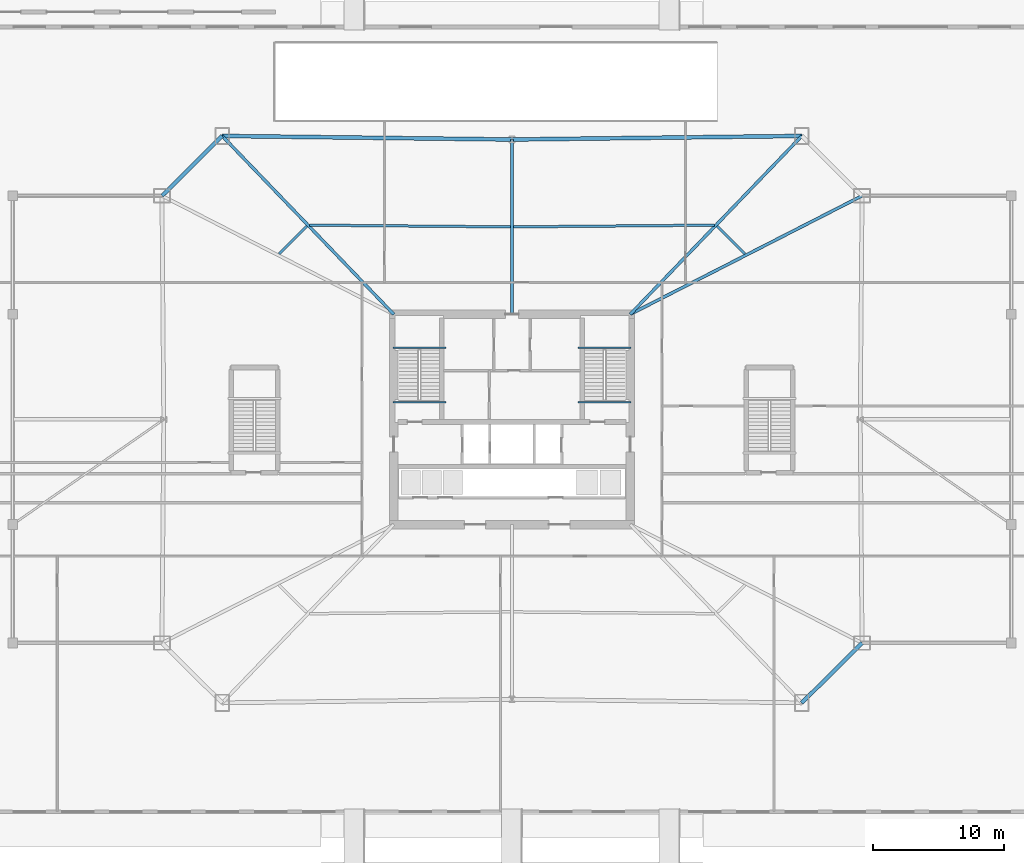
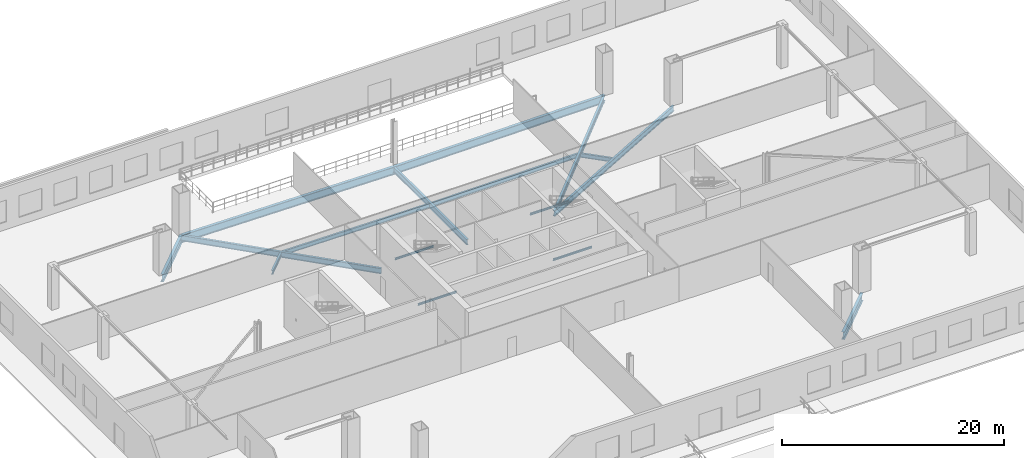
# One storey, part 5 of 23: 16 beams.
"""IFC4 building model written with IfcOpenShell, lengths in metres."""

from ifc_helpers import new_model, si_unit, direction, frame, origin, origin_2d, place, context, subcontext, project, spatial, i_section, extrude, material, material_profile, profile_set, type_object, element, save


model = new_model("IFC4")

# Units and contexts
model_context = context("Model", 3, precision=1e-05, world=origin(), true_north=direction((0.0, 1.0)))
body_context = subcontext(model_context, "Body", "Model", "MODEL_VIEW")
ifc_project = project(units=[si_unit("LENGTHUNIT", "METRE"), si_unit("AREAUNIT", "SQUARE_METRE"), si_unit("VOLUMEUNIT", "CUBIC_METRE"), si_unit("PLANEANGLEUNIT", "RADIAN"), si_unit("MASSUNIT", "GRAM", prefix="KILO")], contexts=[model_context])

# Site, building, storey
site_placement = place(None, origin())
site = spatial("IfcSite", under=ifc_project, at=site_placement, CompositionType="ELEMENT")
building_placement = place(site_placement, origin())
building = spatial("IfcBuilding", under=site, at=building_placement, Name="Caelvoria Tower", CompositionType="ELEMENT")
storey_placement = place(building_placement, origin())
storey = spatial("IfcBuildingStorey", under=building, at=storey_placement, Name="L00", CompositionType="ELEMENT", Elevation=0.0)

# Beams
ifc_material = material(Name="Structural Steel ASTM A992 Gr.50", Category="steel")
ifc_material_profile_1 = material_profile(ifc_material, i_section(OverallWidth=0.134033203125, OverallDepth=0.2099609375, WebThickness=0.00634765625, FlangeThickness=0.01025390625, FilletRadius=0.010009765625, at=origin_2d()), Name="Structural Steel ASTM A992 Gr.50")
ifc_profile_set_1 = profile_set([ifc_material_profile_1], Name="W200X31.3 - Structural Steel ASTM A992 Gr.50")
beam_type_1 = type_object("IfcBeamType", Name="Canopy Edge Trim Beam W200X31.3", PredefinedType="BEAM", material=ifc_profile_set_1)
for number, where, z_axis, x_axis, name in (
    (1, (36.929931640625, 37.449951171875, 2.195068359375), (1.0, 0.0, 0.0), (0.0, 1.0, 0.0), "ST-01 Half-Landing Support Beam L00"),
    (2, (36.929931640625, 33.300048828125, -0.304931640625), (1.0, 0.0, 0.0), (0.0, 1.0, 0.0), "ST-01 Floor-Landing Support Beam L00"),
    (3, (51.030029296875, 37.449951171875, 2.195068359375), (1.0, 0.0, 0.0), (0.0, 1.0, 0.0), "ST-02 Half-Landing Support Beam L00"),
    (4, (51.030029296875, 33.300048828125, -0.304931640625), (1.0, 0.0, 0.0), (0.0, 1.0, 0.0), "ST-02 Floor-Landing Support Beam L00"),
):
    element("IfcBeam", number, at=place(storey_placement, frame(where, z_axis=z_axis, x_axis=x_axis)), inside=storey, type_object=beam_type_1, Name=name, PredefinedType="BEAM", context=body_context, shape_type="SweptSolid", body=[
        extrude(i_section(OverallWidth=0.134033203125, OverallDepth=0.2099609375, WebThickness=0.00634765625, FlangeThickness=0.01025390625, FilletRadius=0.010009765625, at=origin_2d()), origin(), (0.0, 0.0, 1.0), 4.0400390625),
    ])
ifc_material_profile_2 = material_profile(ifc_material, i_section(OverallWidth=0.2939453125, OverallDepth=0.85107421875, WebThickness=0.01611328125, FlangeThickness=0.02685546875, FilletRadius=0.02197265625, at=origin_2d()), Name="Structural Steel ASTM A992 Gr.50")
ifc_profile_set_2 = profile_set([ifc_material_profile_2], Name="W840X226 - Structural Steel ASTM A992 Gr.50")
beam_type_2 = type_object("IfcBeamType", Name="Podium Long-Span Girder W840X226", PredefinedType="BEAM", material=ifc_profile_set_2)
beam_1_placement = place(storey_placement, frame((68.056640625, 10.42919921875, -0.775390625), z_axis=(0.709407278283, 0.704798775197, 0.0), x_axis=(-0.704798775197, 0.709407278283, 0.0)))
element("IfcBeam", 5, at=beam_1_placement, inside=storey, type_object=beam_type_2, Name="Perimeter Spandrel Girder L00-02", PredefinedType="BEAM", context=body_context, shape_type="SweptSolid", body=[
    extrude(i_section(OverallWidth=0.2939453125, OverallDepth=0.85107421875, WebThickness=0.01611328125, FlangeThickness=0.02685546875, FilletRadius=0.02197265625, at=origin_2d()), origin(), (0.0, 0.0, 1.0), 6.463134765625),
])
for number, where, z_axis, x_axis, name in (
    (6, (68.056640625, 53.57080078125, -0.775390625), (-0.999924666978, -0.01227437855, 0.0), (0.01227437855, -0.999924666978, 0.0), "Perimeter Spandrel Girder L00-06"),
    (7, (46.0, 53.300048828125, -0.775390625), (-0.999924666978, 0.01227437855, 0.0), (-0.01227437855, -0.999924666978, 0.0), "Perimeter Spandrel Girder L00-07"),
):
    element("IfcBeam", number, at=place(storey_placement, frame(where, z_axis=z_axis, x_axis=x_axis)), inside=storey, type_object=beam_type_2, Name=name, PredefinedType="BEAM", context=body_context, shape_type="SweptSolid", body=[
        extrude(i_section(OverallWidth=0.2939453125, OverallDepth=0.85107421875, WebThickness=0.01611328125, FlangeThickness=0.02685546875, FilletRadius=0.02197265625, at=origin_2d()), origin(), (0.0, 0.0, 1.0), 22.058349609375),
    ])
beam_2_placement = place(storey_placement, frame((23.943359375, 53.57080078125, -0.775390625), z_axis=(-0.709407278283, -0.704798775197, 0.0), x_axis=(0.704798775197, -0.709407278283, 0.0)))
element("IfcBeam", 8, at=beam_2_placement, inside=storey, type_object=beam_type_2, Name="Perimeter Spandrel Girder L00-08", PredefinedType="BEAM", context=body_context, shape_type="SweptSolid", body=[
    extrude(i_section(OverallWidth=0.2939453125, OverallDepth=0.85107421875, WebThickness=0.01611328125, FlangeThickness=0.02685546875, FilletRadius=0.02197265625, at=origin_2d()), origin(), (0.0, 0.0, 1.0), 6.463134765625),
])
ifc_material_profile_3 = material_profile(ifc_material, i_section(OverallWidth=0.22900390625, OverallDepth=0.612060546875, WebThickness=0.011962890625, FlangeThickness=0.01953125, FilletRadius=0.01806640625, at=origin_2d()), Name="Structural Steel ASTM A992 Gr.50")
ifc_profile_set_3 = profile_set([ifc_material_profile_3], Name="W610X125 - Structural Steel ASTM A992 Gr.50")
beam_type_3 = type_object("IfcBeamType", Name="Primary Radial Floor Girder W610X125", PredefinedType="BEAM", material=ifc_profile_set_3)
beam_3_placement = place(storey_placement, frame((55.0, 40.0, -0.656005859375), z_axis=(0.890459095292, 0.455063291876, 0.0), x_axis=(-0.455063291876, 0.890459095292, 0.0)))
element("IfcBeam", 9, at=beam_3_placement, inside=storey, type_object=beam_type_3, Name="Primary Floor Girder L00-05", PredefinedType="BEAM", context=body_context, shape_type="SweptSolid", body=[
    extrude(i_section(OverallWidth=0.22900390625, OverallDepth=0.612060546875, WebThickness=0.011962890625, FlangeThickness=0.01953125, FilletRadius=0.01806640625, at=origin_2d()), origin(), (0.0, 0.0, 1.0), 19.811767578125),
])
beam_4_placement = place(storey_placement, frame((55.0, 40.0, -0.656005859375), z_axis=(0.69332372519, 0.720626263807, 0.0), x_axis=(-0.720626263807, 0.69332372519, 0.0)))
element("IfcBeam", 10, at=beam_4_placement, inside=storey, type_object=beam_type_3, Name="Primary Floor Girder L00-06", PredefinedType="BEAM", context=body_context, shape_type="SweptSolid", body=[
    extrude(i_section(OverallWidth=0.22900390625, OverallDepth=0.612060546875, WebThickness=0.011962890625, FlangeThickness=0.01953125, FilletRadius=0.01806640625, at=origin_2d()), origin(), (0.0, 0.0, 1.0), 18.83203125),
])
beam_5_placement = place(storey_placement, frame((46.0, 40.0, -0.656005859375), z_axis=(0.0, 1.0, 0.0), x_axis=(-1.0, 0.0, 0.0)))
element("IfcBeam", 11, at=beam_5_placement, inside=storey, type_object=beam_type_3, Name="Primary Floor Girder L00-07", PredefinedType="BEAM", context=body_context, shape_type="SweptSolid", body=[
    extrude(i_section(OverallWidth=0.22900390625, OverallDepth=0.612060546875, WebThickness=0.011962890625, FlangeThickness=0.01953125, FilletRadius=0.01806640625, at=origin_2d()), origin(), (0.0, 0.0, 1.0), 13.300048828125),
])
beam_6_placement = place(storey_placement, frame((37.0, 40.0, -0.656005859375), z_axis=(-0.69332372519, 0.720626263807, 0.0), x_axis=(-0.720626263807, -0.69332372519, 0.0)))
element("IfcBeam", 12, at=beam_6_placement, inside=storey, type_object=beam_type_3, Name="Primary Floor Girder L00-08", PredefinedType="BEAM", context=body_context, shape_type="SweptSolid", body=[
    extrude(i_section(OverallWidth=0.22900390625, OverallDepth=0.612060546875, WebThickness=0.011962890625, FlangeThickness=0.01953125, FilletRadius=0.01806640625, at=origin_2d()), origin(), (0.0, 0.0, 1.0), 18.83203125),
])
ifc_material_profile_4 = material_profile(ifc_material, i_section(OverallWidth=0.18994140625, OverallDepth=0.45703125, WebThickness=0.009033203125, FlangeThickness=0.014404296875, FilletRadius=0.014892578125, at=origin_2d()), Name="Structural Steel ASTM A992 Gr.50")
ifc_profile_set_4 = profile_set([ifc_material_profile_4], Name="W460X74 - Structural Steel ASTM A992 Gr.50")
beam_type_4 = type_object("IfcBeamType", Name="Secondary Floor Beam W460X74", PredefinedType="BEAM", material=ifc_profile_set_4)
beam_7_placement = place(storey_placement, frame((63.73193359375, 44.595947265625, -0.57861328125), z_axis=(-0.709395928351, 0.704810199159, 0.0), x_axis=(-0.704810199159, -0.709395928351, 0.0)))
element("IfcBeam", 13, at=beam_7_placement, inside=storey, type_object=beam_type_4, Name="Secondary Floor Beam L00-05", PredefinedType="BEAM", context=body_context, shape_type="SweptSolid", body=[
    extrude(i_section(OverallWidth=0.18994140625, OverallDepth=0.45703125, WebThickness=0.009033203125, FlangeThickness=0.014404296875, FilletRadius=0.014892578125, at=origin_2d()), origin(), (0.0, 0.0, 1.0), 2.9814453125),
])
for number, where, z_axis, x_axis, name in (
    (14, (61.4033203125, 46.7841796875, -0.57861328125), (-0.9999620801, -0.00870852243, 0.0), (0.00870852243, -0.9999620801, 0.0), "Secondary Floor Beam L00-06"),
    (15, (45.875, 46.651123046875, -0.57861328125), (-0.9999620801, 0.00870852243, 0.0), (-0.00870852243, -0.9999620801, 0.0), "Secondary Floor Beam L00-07"),
):
    element("IfcBeam", number, at=place(storey_placement, frame(where, z_axis=z_axis, x_axis=x_axis)), inside=storey, type_object=beam_type_4, Name=name, PredefinedType="BEAM", context=body_context, shape_type="SweptSolid", body=[
        extrude(i_section(OverallWidth=0.18994140625, OverallDepth=0.45703125, WebThickness=0.009033203125, FlangeThickness=0.014404296875, FilletRadius=0.014892578125, at=origin_2d()), origin(), (0.0, 0.0, 1.0), 15.27880859375),
    ])
beam_8_placement = place(storey_placement, frame((30.383056640625, 46.697265625, -0.57861328125), z_axis=(-0.709436603289, -0.704769257214, 0.0), x_axis=(0.704769257214, -0.709436603289, 0.0)))
element("IfcBeam", 16, at=beam_8_placement, inside=storey, type_object=beam_type_4, Name="Secondary Floor Beam L00-08", PredefinedType="BEAM", context=body_context, shape_type="SweptSolid", body=[
    extrude(i_section(OverallWidth=0.18994140625, OverallDepth=0.45703125, WebThickness=0.009033203125, FlangeThickness=0.014404296875, FilletRadius=0.014892578125, at=origin_2d()), origin(), (0.0, 0.0, 1.0), 2.981689453125),
])

save(model, "model.ifc")
